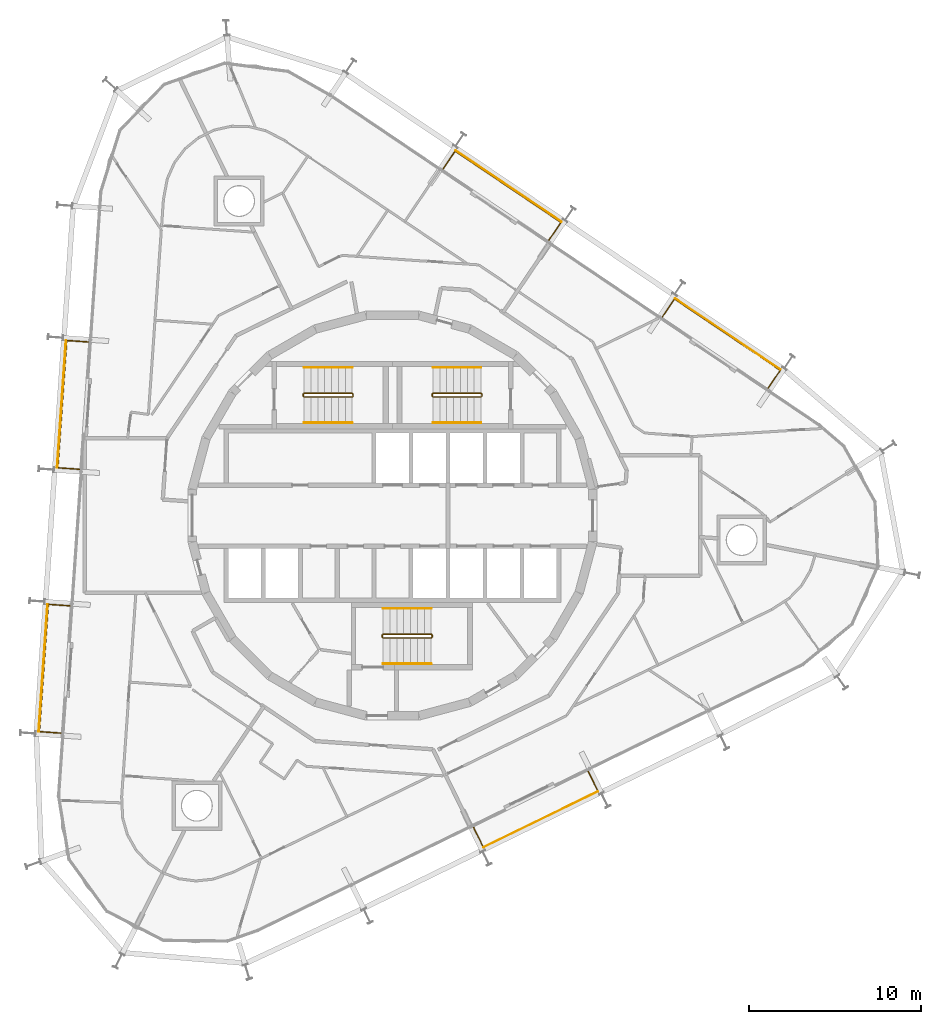
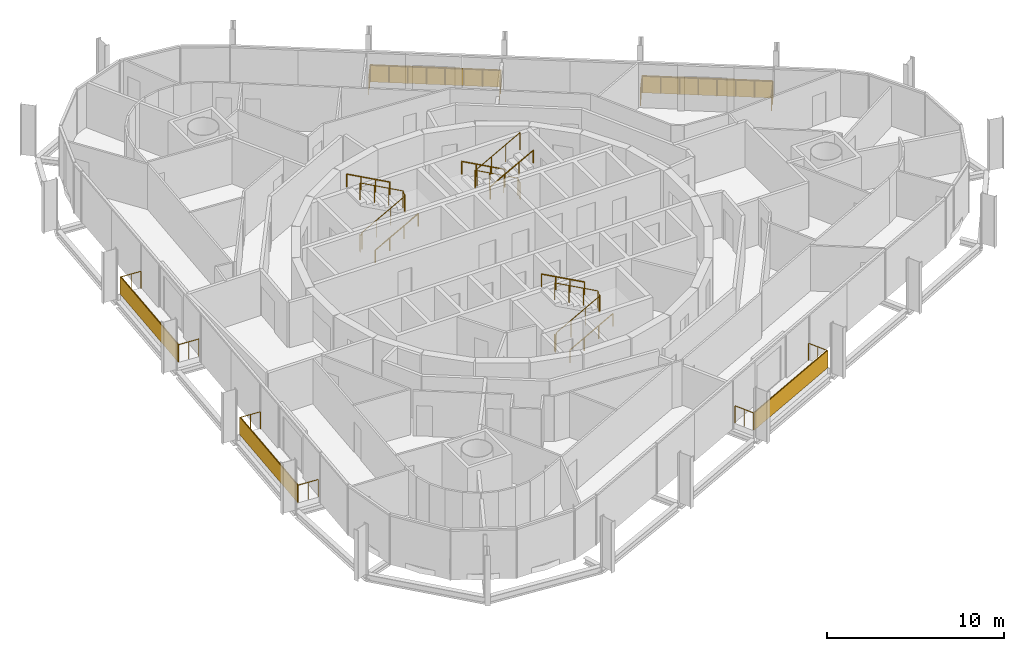
# One storey, part 18 of 18: 14 railings, 5 shading devices.
"""IFC4 building model written with IfcOpenShell, lengths in metres."""

from ifc_helpers import new_model, si_unit, direction, frame, origin, origin_2d, place, context, subcontext, project, spatial, rectangle, circle, extrude, material, layer, layer_set, type_object, element, save


model = new_model("IFC4")

# Units and contexts
model_context = context("Model", 3, precision=1e-05, world=origin(), true_north=direction((0.0, 1.0)))
body_context = subcontext(model_context, "Body", "Model", "MODEL_VIEW")
ifc_project = project(units=[si_unit("LENGTHUNIT", "METRE"), si_unit("AREAUNIT", "SQUARE_METRE"), si_unit("VOLUMEUNIT", "CUBIC_METRE"), si_unit("PLANEANGLEUNIT", "RADIAN"), si_unit("MASSUNIT", "GRAM", prefix="KILO")], contexts=[model_context])

# Site, building, storey
site_placement = place(None, origin())
site = spatial("IfcSite", under=ifc_project, at=site_placement, CompositionType="ELEMENT")
building_placement = place(site_placement, origin())
building = spatial("IfcBuilding", under=site, at=building_placement, Name="Spindle Arch Residences", CompositionType="ELEMENT")
storey_placement = place(building_placement, frame((0.0, 0.0, 205.89990234375)))
storey = spatial("IfcBuildingStorey", under=building, at=storey_placement, Name="L52", CompositionType="ELEMENT", Elevation=205.89990234375)

# Railings
ifc_material_1 = material(Name="Bronze anodised aluminium guard with glass infill", Category="aluminium")
railing_type_1 = type_object("IfcRailingType", Name="Balcony guard 1200", PredefinedType="GUARDRAIL", material=ifc_material_1)
railing_1_placement = place(storey_placement, frame((21.8544921875, 7.41796875, 0.0)))
element("IfcRailing", 1, at=railing_1_placement, inside=storey, type_object=railing_type_1, Name="Guard L52 bay 6", PredefinedType="GUARDRAIL", context=body_context, shape_type="SweptSolid", body=[
    extrude(circle(Radius=0.02392578125, at=origin_2d()), frame((0.0, 0.0, 1.17578125), z_axis=(0.559154156027, 0.829063706718, 0.0), x_axis=(-0.829063706718, 0.559154156027, 0.0)), (0.0, 0.0, 1.0), 1.25),
    extrude(circle(Radius=0.02392578125, at=origin_2d()), frame((0.698974609375, 1.036376953125, 1.17578125), z_axis=(-0.829032773144, 0.559200018824, 0.0), x_axis=(-0.559200018824, -0.829032773144, 0.0)), (0.0, 0.0, 1.0), 7.423828125),
    extrude(circle(Radius=0.02392578125, at=origin_2d()), frame((-5.45556640625, 5.187744140625, 1.17578125), z_axis=(-0.559154156027, -0.829063706718, 0.0), x_axis=(0.829063706718, -0.559154156027, 0.0)), (0.0, 0.0, 1.0), 1.25),
    extrude(circle(Radius=0.02099609375, at=origin_2d()), origin(), (0.0, 0.0, 1.0), 1.15185546875),
    extrude(circle(Radius=0.02099609375, at=origin_2d()), frame((0.349609375, 0.51806640625, 0.0)), (0.0, 0.0, 1.0), 1.15185546875),
    extrude(circle(Radius=0.02099609375, at=origin_2d()), frame((0.698974609375, 1.036376953125, 0.0)), (0.0, 0.0, 1.0), 1.15185546875),
    extrude(circle(Radius=0.02099609375, at=origin_2d()), frame((-0.18017578125, 1.62939453125, 0.0)), (0.0, 0.0, 1.0), 1.15185546875),
    extrude(circle(Radius=0.02099609375, at=origin_2d()), frame((-1.0595703125, 2.222412109375, 0.0)), (0.0, 0.0, 1.0), 1.15185546875),
    extrude(circle(Radius=0.02099609375, at=origin_2d()), frame((-1.938720703125, 2.8154296875, 0.0)), (0.0, 0.0, 1.0), 1.15185546875),
    extrude(circle(Radius=0.02099609375, at=origin_2d()), frame((-2.81787109375, 3.40869140625, 0.0)), (0.0, 0.0, 1.0), 1.15185546875),
    extrude(circle(Radius=0.02099609375, at=origin_2d()), frame((-3.697021484375, 4.001708984375, 0.0)), (0.0, 0.0, 1.0), 1.15185546875),
    extrude(circle(Radius=0.02099609375, at=origin_2d()), frame((-4.576416015625, 4.5947265625, 0.0)), (0.0, 0.0, 1.0), 1.15185546875),
    extrude(circle(Radius=0.02099609375, at=origin_2d()), frame((-5.45556640625, 5.187744140625, 0.0)), (0.0, 0.0, 1.0), 1.15185546875),
    extrude(circle(Radius=0.02099609375, at=origin_2d()), frame((-5.80517578125, 4.66943359375, 0.0)), (0.0, 0.0, 1.0), 1.15185546875),
    extrude(circle(Radius=0.02099609375, at=origin_2d()), frame((-6.154541015625, 4.1513671875, 0.0)), (0.0, 0.0, 1.0), 1.15185546875),
])
railing_2_placement = place(storey_placement, frame((9.097900390625, 16.022705078125, 0.0)))
element("IfcRailing", 2, at=railing_2_placement, inside=storey, type_object=railing_type_1, Name="Guard L52 bay 8", PredefinedType="GUARDRAIL", context=body_context, shape_type="SweptSolid", body=[
    extrude(circle(Radius=0.02392578125, at=origin_2d()), frame((0.0, 0.0, 1.17578125), z_axis=(0.559244705098, 0.829002629562, 0.0), x_axis=(-0.829002629562, 0.559244705098, 0.0)), (0.0, 0.0, 1.0), 1.249755859375),
    extrude(circle(Radius=0.02392578125, at=origin_2d()), frame((0.698974609375, 1.0361328125, 1.17578125), z_axis=(-0.829032773144, 0.559200018824, 0.0), x_axis=(-0.559200018824, -0.829032773144, 0.0)), (0.0, 0.0, 1.0), 7.423828125),
    extrude(circle(Radius=0.02392578125, at=origin_2d()), frame((-5.45556640625, 5.1875, 1.17578125), z_axis=(-0.559154156027, -0.829063706718, 0.0), x_axis=(0.829063706718, -0.559154156027, 0.0)), (0.0, 0.0, 1.0), 1.25),
    extrude(circle(Radius=0.02099609375, at=origin_2d()), origin(), (0.0, 0.0, 1.0), 1.15185546875),
    extrude(circle(Radius=0.02099609375, at=origin_2d()), frame((0.349609375, 0.51806640625, 0.0)), (0.0, 0.0, 1.0), 1.15185546875),
    extrude(circle(Radius=0.02099609375, at=origin_2d()), frame((0.698974609375, 1.0361328125, 0.0)), (0.0, 0.0, 1.0), 1.15185546875),
    extrude(circle(Radius=0.02099609375, at=origin_2d()), frame((-0.18017578125, 1.629150390625, 0.0)), (0.0, 0.0, 1.0), 1.15185546875),
    extrude(circle(Radius=0.02099609375, at=origin_2d()), frame((-1.0595703125, 2.22216796875, 0.0)), (0.0, 0.0, 1.0), 1.15185546875),
    extrude(circle(Radius=0.02099609375, at=origin_2d()), frame((-1.938720703125, 2.815185546875, 0.0)), (0.0, 0.0, 1.0), 1.15185546875),
    extrude(circle(Radius=0.02099609375, at=origin_2d()), frame((-2.81787109375, 3.408447265625, 0.0)), (0.0, 0.0, 1.0), 1.15185546875),
    extrude(circle(Radius=0.02099609375, at=origin_2d()), frame((-3.697021484375, 4.00146484375, 0.0)), (0.0, 0.0, 1.0), 1.15185546875),
    extrude(circle(Radius=0.02099609375, at=origin_2d()), frame((-4.576416015625, 4.594482421875, 0.0)), (0.0, 0.0, 1.0), 1.15185546875),
    extrude(circle(Radius=0.02099609375, at=origin_2d()), frame((-5.45556640625, 5.1875, 0.0)), (0.0, 0.0, 1.0), 1.15185546875),
    extrude(circle(Radius=0.02099609375, at=origin_2d()), frame((-5.80517578125, 4.66943359375, 0.0)), (0.0, 0.0, 1.0), 1.15185546875),
    extrude(circle(Radius=0.02099609375, at=origin_2d()), frame((-6.154541015625, 4.151123046875, 0.0)), (0.0, 0.0, 1.0), 1.15185546875),
])
railing_3_placement = place(storey_placement, frame((-17.709228515625, 10.100830078125, 0.0)))
element("IfcRailing", 3, at=railing_3_placement, inside=storey, type_object=railing_type_1, Name="Guard L52 bay 14", PredefinedType="GUARDRAIL", context=body_context, shape_type="SweptSolid", body=[
    extrude(circle(Radius=0.02392578125, at=origin_2d()), frame((0.0, 0.0, 1.17578125), z_axis=(-0.997552977804, 0.06991463705, 0.0), x_axis=(-0.06991463705, -0.997552977804, 0.0)), (0.0, 0.0, 1.0), 1.250244140625),
    extrude(circle(Radius=0.02392578125, at=origin_2d()), frame((-1.2470703125, 0.08740234375, 1.17578125), z_axis=(-0.069751240415, -0.997564416196, 0.0), x_axis=(0.997564416196, -0.069751240415, 0.0)), (0.0, 0.0, 1.0), 7.423828125),
    extrude(circle(Radius=0.02392578125, at=origin_2d()), frame((-1.764892578125, -7.318359375, 1.17578125), z_axis=(0.997566579437, -0.069720295391, 0.0), x_axis=(0.069720295391, 0.997566579437, 0.0)), (0.0, 0.0, 1.0), 1.25),
    extrude(circle(Radius=0.02099609375, at=origin_2d()), origin(), (0.0, 0.0, 1.0), 1.15185546875),
    extrude(circle(Radius=0.02099609375, at=origin_2d()), frame((-0.62353515625, 0.043701171875, 0.0)), (0.0, 0.0, 1.0), 1.15185546875),
    extrude(circle(Radius=0.02099609375, at=origin_2d()), frame((-1.2470703125, 0.08740234375, 0.0)), (0.0, 0.0, 1.0), 1.15185546875),
    extrude(circle(Radius=0.02099609375, at=origin_2d()), frame((-1.321044921875, -0.970458984375, 0.0)), (0.0, 0.0, 1.0), 1.15185546875),
    extrude(circle(Radius=0.02099609375, at=origin_2d()), frame((-1.39501953125, -2.028564453125, 0.0)), (0.0, 0.0, 1.0), 1.15185546875),
    extrude(circle(Radius=0.02099609375, at=origin_2d()), frame((-1.468994140625, -3.08642578125, 0.0)), (0.0, 0.0, 1.0), 1.15185546875),
    extrude(circle(Radius=0.02099609375, at=origin_2d()), frame((-1.54296875, -4.14453125, 0.0)), (0.0, 0.0, 1.0), 1.15185546875),
    extrude(circle(Radius=0.02099609375, at=origin_2d()), frame((-1.616943359375, -5.202392578125, 0.0)), (0.0, 0.0, 1.0), 1.15185546875),
    extrude(circle(Radius=0.02099609375, at=origin_2d()), frame((-1.69091796875, -6.260498046875, 0.0)), (0.0, 0.0, 1.0), 1.15185546875),
    extrude(circle(Radius=0.02099609375, at=origin_2d()), frame((-1.764892578125, -7.318359375, 0.0)), (0.0, 0.0, 1.0), 1.15185546875),
    extrude(circle(Radius=0.02099609375, at=origin_2d()), frame((-1.141357421875, -7.36181640625, 0.0)), (0.0, 0.0, 1.0), 1.15185546875),
    extrude(circle(Radius=0.02099609375, at=origin_2d()), frame((-0.517822265625, -7.405517578125, 0.0)), (0.0, 0.0, 1.0), 1.15185546875),
])
railing_4_placement = place(storey_placement, frame((-18.78271484375, -5.2490234375, 0.0)))
element("IfcRailing", 4, at=railing_4_placement, inside=storey, type_object=railing_type_1, Name="Guard L52 bay 16", PredefinedType="GUARDRAIL", context=body_context, shape_type="SweptSolid", body=[
    extrude(circle(Radius=0.02392578125, at=origin_2d()), frame((0.0, 0.0, 1.17578125), z_axis=(-0.997565629847, 0.069733880919, 0.0), x_axis=(-0.069733880919, -0.997565629847, 0.0)), (0.0, 0.0, 1.0), 1.249755859375),
    extrude(circle(Radius=0.02392578125, at=origin_2d()), frame((-1.246826171875, 0.087158203125, 1.17578125), z_axis=(-0.069753528744, -0.99756425619, 0.0), x_axis=(0.99756425619, -0.069753528744, 0.0)), (0.0, 0.0, 1.0), 7.423583984375),
    extrude(circle(Radius=0.02392578125, at=origin_2d()), frame((-1.7646484375, -7.318359375, 1.17578125), z_axis=(0.997565629847, -0.069733880919, 0.0), x_axis=(0.069733880919, 0.997565629847, 0.0)), (0.0, 0.0, 1.0), 1.249755859375),
    extrude(circle(Radius=0.02099609375, at=origin_2d()), origin(), (0.0, 0.0, 1.0), 1.15185546875),
    extrude(circle(Radius=0.02099609375, at=origin_2d()), frame((-0.62353515625, 0.04345703125, 0.0)), (0.0, 0.0, 1.0), 1.15185546875),
    extrude(circle(Radius=0.02099609375, at=origin_2d()), frame((-1.246826171875, 0.087158203125, 0.0)), (0.0, 0.0, 1.0), 1.15185546875),
    extrude(circle(Radius=0.02099609375, at=origin_2d()), frame((-1.32080078125, -0.970703125, 0.0)), (0.0, 0.0, 1.0), 1.15185546875),
    extrude(circle(Radius=0.02099609375, at=origin_2d()), frame((-1.394775390625, -2.02880859375, 0.0)), (0.0, 0.0, 1.0), 1.15185546875),
    extrude(circle(Radius=0.02099609375, at=origin_2d()), frame((-1.46875, -3.086669921875, 0.0)), (0.0, 0.0, 1.0), 1.15185546875),
    extrude(circle(Radius=0.02099609375, at=origin_2d()), frame((-1.542724609375, -4.14453125, 0.0)), (0.0, 0.0, 1.0), 1.15185546875),
    extrude(circle(Radius=0.02099609375, at=origin_2d()), frame((-1.61669921875, -5.202392578125, 0.0)), (0.0, 0.0, 1.0), 1.15185546875),
    extrude(circle(Radius=0.02099609375, at=origin_2d()), frame((-1.690673828125, -6.260498046875, 0.0)), (0.0, 0.0, 1.0), 1.15185546875),
    extrude(circle(Radius=0.02099609375, at=origin_2d()), frame((-1.7646484375, -7.318359375, 0.0)), (0.0, 0.0, 1.0), 1.15185546875),
    extrude(circle(Radius=0.02099609375, at=origin_2d()), frame((-1.14111328125, -7.36181640625, 0.0)), (0.0, 0.0, 1.0), 1.15185546875),
    extrude(circle(Radius=0.02099609375, at=origin_2d()), frame((-0.517822265625, -7.405517578125, 0.0)), (0.0, 0.0, 1.0), 1.15185546875),
])
railing_5_placement = place(storey_placement, frame((4.717041015625, -18.138671875, 0.0)))
element("IfcRailing", 5, at=railing_5_placement, inside=storey, type_object=railing_type_1, Name="Guard L52 bay 22", PredefinedType="GUARDRAIL", context=body_context, shape_type="SweptSolid", body=[
    extrude(circle(Radius=0.02392578125, at=origin_2d()), frame((0.0, 0.0, 1.17578125), z_axis=(0.438285095444, -0.898836011245, 0.0), x_axis=(0.898836011245, 0.438285095444, 0.0)), (0.0, 0.0, 1.0), 1.25),
    extrude(circle(Radius=0.02392578125, at=origin_2d()), frame((0.5478515625, -1.12353515625, 1.17578125), z_axis=(0.898790569069, 0.438378276096, 0.0), x_axis=(-0.438378276096, 0.898790569069, 0.0)), (0.0, 0.0, 1.0), 7.423828125),
    extrude(circle(Radius=0.02392578125, at=origin_2d()), frame((7.22021484375, 2.130859375, 1.17578125), z_axis=(-0.438285095444, 0.898836011245, 0.0), x_axis=(-0.898836011245, -0.438285095444, 0.0)), (0.0, 0.0, 1.0), 1.25),
    extrude(circle(Radius=0.02099609375, at=origin_2d()), origin(), (0.0, 0.0, 1.0), 1.15185546875),
    extrude(circle(Radius=0.02099609375, at=origin_2d()), frame((0.27392578125, -0.561767578125, 0.0)), (0.0, 0.0, 1.0), 1.15185546875),
    extrude(circle(Radius=0.02099609375, at=origin_2d()), frame((0.5478515625, -1.12353515625, 0.0)), (0.0, 0.0, 1.0), 1.15185546875),
    extrude(circle(Radius=0.02099609375, at=origin_2d()), frame((1.5009765625, -0.65869140625, 0.0)), (0.0, 0.0, 1.0), 1.15185546875),
    extrude(circle(Radius=0.02099609375, at=origin_2d()), frame((2.454345703125, -0.193603515625, 0.0)), (0.0, 0.0, 1.0), 1.15185546875),
    extrude(circle(Radius=0.02099609375, at=origin_2d()), frame((3.407470703125, 0.271240234375, 0.0)), (0.0, 0.0, 1.0), 1.15185546875),
    extrude(circle(Radius=0.02099609375, at=origin_2d()), frame((4.360595703125, 0.736083984375, 0.0)), (0.0, 0.0, 1.0), 1.15185546875),
    extrude(circle(Radius=0.02099609375, at=origin_2d()), frame((5.313720703125, 1.200927734375, 0.0)), (0.0, 0.0, 1.0), 1.15185546875),
    extrude(circle(Radius=0.02099609375, at=origin_2d()), frame((6.26708984375, 1.666015625, 0.0)), (0.0, 0.0, 1.0), 1.15185546875),
    extrude(circle(Radius=0.02099609375, at=origin_2d()), frame((7.22021484375, 2.130859375, 0.0)), (0.0, 0.0, 1.0), 1.15185546875),
    extrude(circle(Radius=0.02099609375, at=origin_2d()), frame((6.9462890625, 2.692626953125, 0.0)), (0.0, 0.0, 1.0), 1.15185546875),
    extrude(circle(Radius=0.02099609375, at=origin_2d()), frame((6.67236328125, 3.25439453125, 0.0)), (0.0, 0.0, 1.0), 1.15185546875),
])

# Shading devices
ifc_material_2 = material(Name="Bronze perforated cobogo screen")
ifc_layer = layer(ifc_material_2, 0.0390625)
ifc_layer_set = layer_set([ifc_layer], Name="Cobogo screen 1200")
shading_device_type = type_object("IfcShadingDeviceType", Name="Cobogo screen 1200", PredefinedType="USERDEFINED", material=ifc_layer_set)
for number, where, z_axis, x_axis, name in (
    (6, (19.4990234375, 10.5634765625, 0.0), (0.0, 0.0, 1.0), (-0.829037572555, 0.559192903471, 0.0), "Cobogo screen L52 bay 6"),
    (7, (6.7421875, 19.168212890625, 0.0), (0.0, 0.0, 1.0), (-0.829037572555, 0.559192903471, 0.0), "Cobogo screen L52 bay 8"),
    (8, (-19.255615234375, 6.488037109375, 0.0), (0.0, 0.0, 1.0), (-0.069756473744, -0.99756405026, 0.0), "Cobogo screen L52 bay 14"),
    (9, (-20.328857421875, -8.86181640625, 0.0), (0.0, 0.0, 1.0), (-0.069756473744, -0.99756405026, 0.0), "Cobogo screen L52 bay 16"),
    (10, (8.618896484375, -17.67138671875, 0.0), (0.0, 0.0, 1.0), (0.898794046299, 0.438371146789, 0.0), "Cobogo screen L52 bay 22"),
):
    element("IfcShadingDevice", number, at=place(storey_placement, frame(where, z_axis=z_axis, x_axis=x_axis)), inside=storey, type_object=shading_device_type, Name=name, ObjectType="SCREEN", PredefinedType="USERDEFINED", context=body_context, shape_type="SweptSolid", body=[
        extrude(rectangle(XDim=7.423828125, YDim=0.0390625, at=origin_2d()), origin(), (0.0, 0.0, 1.0), 1.199951171875),
    ])

# Railings
ifc_material_3 = material(Name="Steel, painted", Category="steel")
railing_type_2 = type_object("IfcRailingType", Name="Stair guard 1100", PredefinedType="GUARDRAIL", material=ifc_material_3)
railing_6_placement = place(storey_placement, frame((5.14990234375, 6.89990234375, 3.5)))
element("IfcRailing", 11, at=railing_6_placement, inside=storey, type_object=railing_type_2, Name="L52 ST1 stair guard 1", PredefinedType="GUARDRAIL", context=body_context, shape_type="SweptSolid", body=[
    extrude(circle(Radius=0.02392578125, at=origin_2d()), frame((0.0, 0.0, 1.17578125), z_axis=(-0.877357048833, 0.0, -0.479838106931), x_axis=(0.0, -1.0, 0.0)), (0.0, 0.0, 1.0), 3.191162109375),
    extrude(circle(Radius=0.02392578125, at=origin_2d()), frame((-2.7998046875, 0.0, -0.35546875), z_axis=(-0.217683172539, 0.217683172539, -0.951434744366), x_axis=(-0.707106781187, -0.707106781187, 0.0)), (0.0, 0.0, 1.0), 0.22998046875),
    extrude(circle(Radius=0.02392578125, at=origin_2d()), frame((-2.849853515625, 0.050048828125, -0.57421875), z_axis=(0.0, 1.0, 0.0), x_axis=(-1.0, 0.0, 0.0)), (0.0, 0.0, 1.0), 0.1201171875),
    extrude(circle(Radius=0.02392578125, at=origin_2d()), frame((-2.849853515625, 0.170166015625, -0.57421875), z_axis=(0.707106781187, 0.707106781187, 0.0), x_axis=(-0.707106781187, 0.707106781187, 0.0)), (0.0, 0.0, 1.0), 0.07080078125),
    extrude(circle(Radius=0.02392578125, at=origin_2d()), frame((-2.7998046875, 0.22021484375, -0.57421875), z_axis=(0.877357048833, 0.0, -0.479838106931), x_axis=(0.0, 1.0, 0.0)), (0.0, 0.0, 1.0), 3.191162109375),
    extrude(circle(Radius=0.02392578125, at=origin_2d()), frame((0.0, 0.22021484375, -2.10546875), z_axis=(0.217683172539, -0.217683172539, -0.951434744366), x_axis=(0.707106781187, 0.707106781187, 0.0)), (0.0, 0.0, 1.0), 0.22998046875),
    extrude(circle(Radius=0.02392578125, at=origin_2d()), frame((0.050048828125, 0.170166015625, -2.32421875), z_axis=(0.0, -1.0, 0.0), x_axis=(1.0, 0.0, 0.0)), (0.0, 0.0, 1.0), 0.1201171875),
    extrude(circle(Radius=0.02099609375, at=origin_2d()), origin(), (0.0, 0.0, 1.0), 1.15185546875),
    extrude(circle(Radius=0.02099609375, at=origin_2d()), frame((-0.933349609375, 0.0, -0.510498046875)), (0.0, 0.0, 1.0), 1.15185546875),
    extrude(circle(Radius=0.02099609375, at=origin_2d()), frame((-1.866455078125, 0.0, -1.020751953125)), (0.0, 0.0, 1.0), 1.15185546875),
    extrude(circle(Radius=0.02099609375, at=origin_2d()), frame((-2.7998046875, 0.0, -1.53125)), (0.0, 0.0, 1.0), 1.15185546875),
    extrude(circle(Radius=0.02099609375, at=origin_2d()), frame((-2.849853515625, 0.050048828125, -1.75)), (0.0, 0.0, 1.0), 1.15185546875),
    extrude(circle(Radius=0.02099609375, at=origin_2d()), frame((-2.849853515625, 0.170166015625, -1.75)), (0.0, 0.0, 1.0), 1.15185546875),
    extrude(circle(Radius=0.02099609375, at=origin_2d()), frame((-2.7998046875, 0.22021484375, -1.75)), (0.0, 0.0, 1.0), 1.15185546875),
    extrude(circle(Radius=0.02099609375, at=origin_2d()), frame((-1.866455078125, 0.22021484375, -2.260498046875)), (0.0, 0.0, 1.0), 1.15185546875),
    extrude(circle(Radius=0.02099609375, at=origin_2d()), frame((-0.933349609375, 0.22021484375, -2.770751953125)), (0.0, 0.0, 1.0), 1.15185546875),
    extrude(circle(Radius=0.02099609375, at=origin_2d()), frame((0.0, 0.22021484375, -3.28125)), (0.0, 0.0, 1.0), 1.15185546875),
    extrude(circle(Radius=0.02099609375, at=origin_2d()), frame((0.050048828125, 0.170166015625, -3.5)), (0.0, 0.0, 1.0), 1.15185546875),
    extrude(circle(Radius=0.02099609375, at=origin_2d()), frame((0.050048828125, 0.050048828125, -3.5)), (0.0, 0.0, 1.0), 1.15185546875),
])
railing_7_placement = place(storey_placement, frame((-5.14990234375, 7.1201171875, 3.5)))
element("IfcRailing", 12, at=railing_7_placement, inside=storey, type_object=railing_type_2, Name="L52 ST2 stair guard 1", PredefinedType="GUARDRAIL", context=body_context, shape_type="SweptSolid", body=[
    extrude(circle(Radius=0.02392578125, at=origin_2d()), frame((0.0, 0.0, 1.17578125), z_axis=(0.877357048833, 0.0, -0.479838106931), x_axis=(0.0, 1.0, 0.0)), (0.0, 0.0, 1.0), 3.191162109375),
    extrude(circle(Radius=0.02392578125, at=origin_2d()), frame((2.7998046875, 0.0, -0.35546875), z_axis=(0.217683172539, -0.217683172539, -0.951434744366), x_axis=(0.707106781187, 0.707106781187, 0.0)), (0.0, 0.0, 1.0), 0.22998046875),
    extrude(circle(Radius=0.02392578125, at=origin_2d()), frame((2.849853515625, -0.050048828125, -0.57421875), z_axis=(0.0, -1.0, 0.0), x_axis=(1.0, 0.0, 0.0)), (0.0, 0.0, 1.0), 0.1201171875),
    extrude(circle(Radius=0.02392578125, at=origin_2d()), frame((2.849853515625, -0.170166015625, -0.57421875), z_axis=(-0.707106781187, -0.707106781187, 0.0), x_axis=(0.707106781187, -0.707106781187, 0.0)), (0.0, 0.0, 1.0), 0.07080078125),
    extrude(circle(Radius=0.02392578125, at=origin_2d()), frame((2.7998046875, -0.22021484375, -0.57421875), z_axis=(-0.877357048833, 0.0, -0.479838106931), x_axis=(0.0, -1.0, 0.0)), (0.0, 0.0, 1.0), 3.191162109375),
    extrude(circle(Radius=0.02392578125, at=origin_2d()), frame((0.0, -0.22021484375, -2.10546875), z_axis=(-0.217683172539, 0.217683172539, -0.951434744366), x_axis=(-0.707106781187, -0.707106781187, 0.0)), (0.0, 0.0, 1.0), 0.22998046875),
    extrude(circle(Radius=0.02392578125, at=origin_2d()), frame((-0.050048828125, -0.170166015625, -2.32421875), z_axis=(0.0, 1.0, 0.0), x_axis=(-1.0, 0.0, 0.0)), (0.0, 0.0, 1.0), 0.1201171875),
    extrude(circle(Radius=0.02099609375, at=origin_2d()), origin(), (0.0, 0.0, 1.0), 1.15185546875),
    extrude(circle(Radius=0.02099609375, at=origin_2d()), frame((0.933349609375, 0.0, -0.510498046875)), (0.0, 0.0, 1.0), 1.15185546875),
    extrude(circle(Radius=0.02099609375, at=origin_2d()), frame((1.866455078125, 0.0, -1.020751953125)), (0.0, 0.0, 1.0), 1.15185546875),
    extrude(circle(Radius=0.02099609375, at=origin_2d()), frame((2.7998046875, 0.0, -1.53125)), (0.0, 0.0, 1.0), 1.15185546875),
    extrude(circle(Radius=0.02099609375, at=origin_2d()), frame((2.849853515625, -0.050048828125, -1.75)), (0.0, 0.0, 1.0), 1.15185546875),
    extrude(circle(Radius=0.02099609375, at=origin_2d()), frame((2.849853515625, -0.170166015625, -1.75)), (0.0, 0.0, 1.0), 1.15185546875),
    extrude(circle(Radius=0.02099609375, at=origin_2d()), frame((2.7998046875, -0.22021484375, -1.75)), (0.0, 0.0, 1.0), 1.15185546875),
    extrude(circle(Radius=0.02099609375, at=origin_2d()), frame((1.866455078125, -0.22021484375, -2.260498046875)), (0.0, 0.0, 1.0), 1.15185546875),
    extrude(circle(Radius=0.02099609375, at=origin_2d()), frame((0.933349609375, -0.22021484375, -2.770751953125)), (0.0, 0.0, 1.0), 1.15185546875),
    extrude(circle(Radius=0.02099609375, at=origin_2d()), frame((0.0, -0.22021484375, -3.28125)), (0.0, 0.0, 1.0), 1.15185546875),
    extrude(circle(Radius=0.02099609375, at=origin_2d()), frame((-0.050048828125, -0.170166015625, -3.5)), (0.0, 0.0, 1.0), 1.15185546875),
    extrude(circle(Radius=0.02099609375, at=origin_2d()), frame((-0.050048828125, -0.050048828125, -3.5)), (0.0, 0.0, 1.0), 1.15185546875),
])
railing_8_placement = place(storey_placement, frame((-0.550048828125, -6.89990234375, 3.5)))
element("IfcRailing", 13, at=railing_8_placement, inside=storey, type_object=railing_type_2, Name="L52 ST3 stair guard 1", PredefinedType="GUARDRAIL", context=body_context, shape_type="SweptSolid", body=[
    extrude(circle(Radius=0.02392578125, at=origin_2d()), frame((0.0, 0.0, 1.17578125), z_axis=(0.877374661878, 0.0, -0.479805901063), x_axis=(0.0, 1.0, 0.0)), (0.0, 0.0, 1.0), 3.19140625),
    extrude(circle(Radius=0.02392578125, at=origin_2d()), frame((2.800048828125, 0.0, -0.35546875), z_axis=(0.217683172539, -0.217683172539, -0.951434744366), x_axis=(0.707106781187, 0.707106781187, 0.0)), (0.0, 0.0, 1.0), 0.22998046875),
    extrude(circle(Radius=0.02392578125, at=origin_2d()), frame((2.85009765625, -0.050048828125, -0.57421875), z_axis=(0.0, -1.0, 0.0), x_axis=(1.0, 0.0, 0.0)), (0.0, 0.0, 1.0), 0.1201171875),
    extrude(circle(Radius=0.02392578125, at=origin_2d()), frame((2.85009765625, -0.170166015625, -0.57421875), z_axis=(-0.707106781187, -0.707106781187, 0.0), x_axis=(0.707106781187, -0.707106781187, 0.0)), (0.0, 0.0, 1.0), 0.07080078125),
    extrude(circle(Radius=0.02392578125, at=origin_2d()), frame((2.800048828125, -0.22021484375, -0.57421875), z_axis=(-0.877374661878, 0.0, -0.479805901063), x_axis=(0.0, -1.0, 0.0)), (0.0, 0.0, 1.0), 3.19140625),
    extrude(circle(Radius=0.02392578125, at=origin_2d()), frame((0.0, -0.22021484375, -2.10546875), z_axis=(-0.217683172539, 0.217683172539, -0.951434744366), x_axis=(-0.707106781187, -0.707106781187, 0.0)), (0.0, 0.0, 1.0), 0.22998046875),
    extrude(circle(Radius=0.02392578125, at=origin_2d()), frame((-0.050048828125, -0.170166015625, -2.32421875), z_axis=(0.0, 1.0, 0.0), x_axis=(-1.0, 0.0, 0.0)), (0.0, 0.0, 1.0), 0.1201171875),
    extrude(circle(Radius=0.02099609375, at=origin_2d()), origin(), (0.0, 0.0, 1.0), 1.15185546875),
    extrude(circle(Radius=0.02099609375, at=origin_2d()), frame((0.933349609375, 0.0, -0.510498046875)), (0.0, 0.0, 1.0), 1.15185546875),
    extrude(circle(Radius=0.02099609375, at=origin_2d()), frame((1.86669921875, 0.0, -1.020751953125)), (0.0, 0.0, 1.0), 1.15185546875),
    extrude(circle(Radius=0.02099609375, at=origin_2d()), frame((2.800048828125, 0.0, -1.53125)), (0.0, 0.0, 1.0), 1.15185546875),
    extrude(circle(Radius=0.02099609375, at=origin_2d()), frame((2.85009765625, -0.050048828125, -1.75)), (0.0, 0.0, 1.0), 1.15185546875),
    extrude(circle(Radius=0.02099609375, at=origin_2d()), frame((2.85009765625, -0.170166015625, -1.75)), (0.0, 0.0, 1.0), 1.15185546875),
    extrude(circle(Radius=0.02099609375, at=origin_2d()), frame((2.800048828125, -0.22021484375, -1.75)), (0.0, 0.0, 1.0), 1.15185546875),
    extrude(circle(Radius=0.02099609375, at=origin_2d()), frame((1.86669921875, -0.22021484375, -2.260498046875)), (0.0, 0.0, 1.0), 1.15185546875),
    extrude(circle(Radius=0.02099609375, at=origin_2d()), frame((0.933349609375, -0.22021484375, -2.770751953125)), (0.0, 0.0, 1.0), 1.15185546875),
    extrude(circle(Radius=0.02099609375, at=origin_2d()), frame((0.0, -0.22021484375, -3.28125)), (0.0, 0.0, 1.0), 1.15185546875),
    extrude(circle(Radius=0.02099609375, at=origin_2d()), frame((-0.050048828125, -0.170166015625, -3.5)), (0.0, 0.0, 1.0), 1.15185546875),
    extrude(circle(Radius=0.02099609375, at=origin_2d()), frame((-0.050048828125, -0.050048828125, -3.5)), (0.0, 0.0, 1.0), 1.15185546875),
])
ifc_material_4 = material(Name="Steel, painted", Category="steel")
railing_type_3 = type_object("IfcRailingType", Name="Stair handrail 900", PredefinedType="HANDRAIL", material=ifc_material_4)
railing_9_placement = place(storey_placement, frame((5.14990234375, 8.6201171875, 0.21875)))
element("IfcRailing", 14, at=railing_9_placement, inside=storey, type_object=railing_type_3, Name="L52 ST1 stair handrail 1", PredefinedType="HANDRAIL", context=body_context, shape_type="SweptSolid", body=[
    extrude(circle(Radius=0.02392578125, at=origin_2d()), frame((0.0, 0.0, 0.8759765625), z_axis=(-0.877357048833, 0.0, 0.479838106931), x_axis=(0.0, -1.0, 0.0)), (0.0, 0.0, 1.0), 3.191162109375),
    extrude(circle(Radius=0.02099609375, at=origin_2d()), origin(), (0.0, 0.0, 1.0), 0.851806640625),
    extrude(circle(Radius=0.02099609375, at=origin_2d()), frame((-0.933349609375, 0.0, 0.510498046875)), (0.0, 0.0, 1.0), 0.851806640625),
    extrude(circle(Radius=0.02099609375, at=origin_2d()), frame((-1.866455078125, 0.0, 1.020751953125)), (0.0, 0.0, 1.0), 0.851806640625),
    extrude(circle(Radius=0.02099609375, at=origin_2d()), frame((-2.7998046875, 0.0, 1.53125)), (0.0, 0.0, 1.0), 0.851806640625),
])
for number, where, name in (
    (15, (2.35009765625, 5.39990234375, 1.96875), "L52 ST1 stair handrail 2"),
    (16, (-5.14990234375, 5.39990234375, 0.21875), "L52 ST2 stair handrail 1"),
):
    element("IfcRailing", number, at=place(storey_placement, frame(where)), inside=storey, type_object=railing_type_3, Name=name, PredefinedType="HANDRAIL", context=body_context, shape_type="SweptSolid", body=[
        extrude(circle(Radius=0.02392578125, at=origin_2d()), frame((0.0, 0.0, 0.8759765625), z_axis=(0.877357048833, 0.0, 0.479838106931), x_axis=(0.0, 1.0, 0.0)), (0.0, 0.0, 1.0), 3.191162109375),
        extrude(circle(Radius=0.02099609375, at=origin_2d()), origin(), (0.0, 0.0, 1.0), 0.851806640625),
        extrude(circle(Radius=0.02099609375, at=origin_2d()), frame((0.933349609375, 0.0, 0.510498046875)), (0.0, 0.0, 1.0), 0.851806640625),
        extrude(circle(Radius=0.02099609375, at=origin_2d()), frame((1.866455078125, 0.0, 1.020751953125)), (0.0, 0.0, 1.0), 0.851806640625),
        extrude(circle(Radius=0.02099609375, at=origin_2d()), frame((2.7998046875, 0.0, 1.53125)), (0.0, 0.0, 1.0), 0.851806640625),
    ])
railing_10_placement = place(storey_placement, frame((-2.35009765625, 8.6201171875, 1.96875)))
element("IfcRailing", 17, at=railing_10_placement, inside=storey, type_object=railing_type_3, Name="L52 ST2 stair handrail 2", PredefinedType="HANDRAIL", context=body_context, shape_type="SweptSolid", body=[
    extrude(circle(Radius=0.02392578125, at=origin_2d()), frame((0.0, 0.0, 0.8759765625), z_axis=(-0.877357048833, 0.0, 0.479838106931), x_axis=(0.0, -1.0, 0.0)), (0.0, 0.0, 1.0), 3.191162109375),
    extrude(circle(Radius=0.02099609375, at=origin_2d()), origin(), (0.0, 0.0, 1.0), 0.851806640625),
    extrude(circle(Radius=0.02099609375, at=origin_2d()), frame((-0.933349609375, 0.0, 0.510498046875)), (0.0, 0.0, 1.0), 0.851806640625),
    extrude(circle(Radius=0.02099609375, at=origin_2d()), frame((-1.866455078125, 0.0, 1.020751953125)), (0.0, 0.0, 1.0), 0.851806640625),
    extrude(circle(Radius=0.02099609375, at=origin_2d()), frame((-2.7998046875, 0.0, 1.53125)), (0.0, 0.0, 1.0), 0.851806640625),
])
railing_11_placement = place(storey_placement, frame((-0.550048828125, -8.6201171875, 0.21875)))
element("IfcRailing", 18, at=railing_11_placement, inside=storey, type_object=railing_type_3, Name="L52 ST3 stair handrail 1", PredefinedType="HANDRAIL", context=body_context, shape_type="SweptSolid", body=[
    extrude(circle(Radius=0.02392578125, at=origin_2d()), frame((0.0, 0.0, 0.8759765625), z_axis=(0.877374661878, 0.0, 0.479805901063), x_axis=(0.0, 1.0, 0.0)), (0.0, 0.0, 1.0), 3.19140625),
    extrude(circle(Radius=0.02099609375, at=origin_2d()), origin(), (0.0, 0.0, 1.0), 0.851806640625),
    extrude(circle(Radius=0.02099609375, at=origin_2d()), frame((0.933349609375, 0.0, 0.510498046875)), (0.0, 0.0, 1.0), 0.851806640625),
    extrude(circle(Radius=0.02099609375, at=origin_2d()), frame((1.86669921875, 0.0, 1.020751953125)), (0.0, 0.0, 1.0), 0.851806640625),
    extrude(circle(Radius=0.02099609375, at=origin_2d()), frame((2.800048828125, 0.0, 1.53125)), (0.0, 0.0, 1.0), 0.851806640625),
])
railing_12_placement = place(storey_placement, frame((2.25, -5.39990234375, 1.96875)))
element("IfcRailing", 19, at=railing_12_placement, inside=storey, type_object=railing_type_3, Name="L52 ST3 stair handrail 2", PredefinedType="HANDRAIL", context=body_context, shape_type="SweptSolid", body=[
    extrude(circle(Radius=0.02392578125, at=origin_2d()), frame((0.0, 0.0, 0.8759765625), z_axis=(-0.877374661878, 0.0, 0.479805901063), x_axis=(0.0, -1.0, 0.0)), (0.0, 0.0, 1.0), 3.19140625),
    extrude(circle(Radius=0.02099609375, at=origin_2d()), origin(), (0.0, 0.0, 1.0), 0.851806640625),
    extrude(circle(Radius=0.02099609375, at=origin_2d()), frame((-0.933349609375, 0.0, 0.510498046875)), (0.0, 0.0, 1.0), 0.851806640625),
    extrude(circle(Radius=0.02099609375, at=origin_2d()), frame((-1.86669921875, 0.0, 1.020751953125)), (0.0, 0.0, 1.0), 0.851806640625),
    extrude(circle(Radius=0.02099609375, at=origin_2d()), frame((-2.800048828125, 0.0, 1.53125)), (0.0, 0.0, 1.0), 0.851806640625),
])

save(model, "model.ifc")
